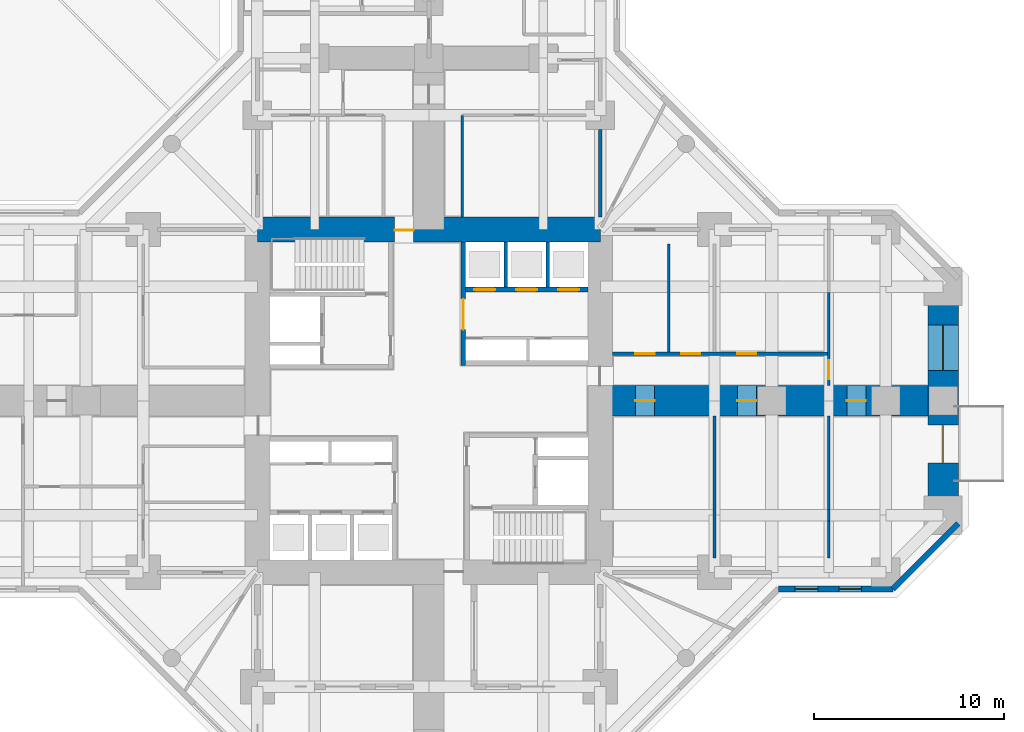
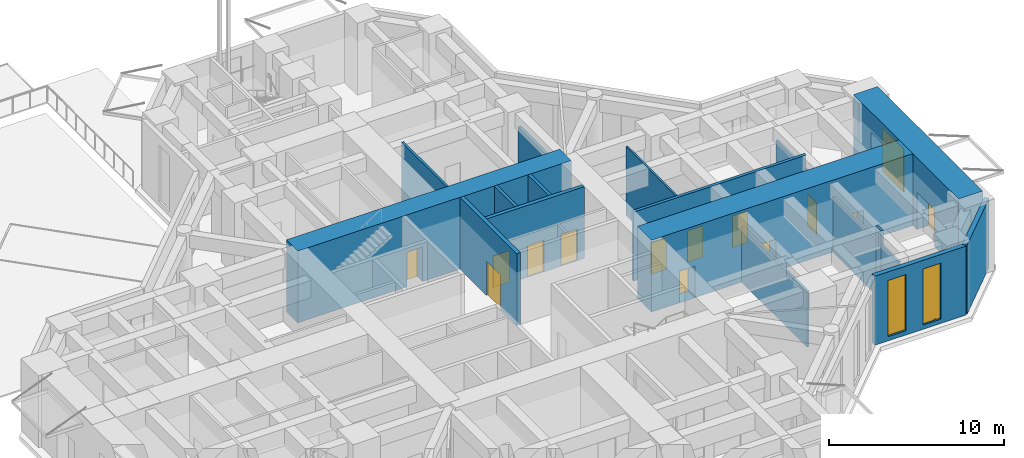
# One storey, part 9 of 14: 18 walls, 13 doors, 3 windows, 16 openings.
"""IFC4 building model written with IfcOpenShell, lengths in metres."""

from ifc_helpers import new_model, si_unit, direction, frame, frame_2d, origin, place, context, subcontext, project, spatial, rectangle, hollow_rectangle, extrude, material, layer, layer_set, constituent, constituent_set, type_object, element, fill, save


model = new_model("IFC4")

# Units and contexts
model_context = context("Model", 3, precision=1e-05, world=origin(), true_north=direction((0.0, 1.0)))
body_context = subcontext(model_context, "Body", "Model", "MODEL_VIEW")
ifc_project = project(units=[si_unit("LENGTHUNIT", "METRE"), si_unit("AREAUNIT", "SQUARE_METRE"), si_unit("VOLUMEUNIT", "CUBIC_METRE"), si_unit("PLANEANGLEUNIT", "RADIAN"), si_unit("MASSUNIT", "GRAM", prefix="KILO")], contexts=[model_context])

# Site, building, storey
site_placement = place(None, origin())
site = spatial("IfcSite", under=ifc_project, at=site_placement, CompositionType="ELEMENT")
building_placement = place(site_placement, origin())
building = spatial("IfcBuilding", under=site, at=building_placement, Name="Torre Cruceta", CompositionType="ELEMENT")
storey_placement = place(building_placement, origin())
storey = spatial("IfcBuildingStorey", under=building, at=storey_placement, Name="L00", CompositionType="ELEMENT", Elevation=0.0)

# Wall, opening, door
ifc_material_1 = material(Name="Concrete G60 (fck 60 MPa)", Category="concrete")
ifc_layer_1 = layer(ifc_material_1, 0.25)
ifc_layer_set_1 = layer_set([ifc_layer_1], Name="Concrete G60 (fck 60 MPa)")
wall_type_1 = type_object("IfcWallType", Name="CORE INNER WALL 250 G60", PredefinedType="SHEAR", material=ifc_layer_set_1)
wall_1_placement = place(storey_placement, frame((1.800048828125, 1.875, 0.0), z_axis=(0.0, 0.0, 1.0), x_axis=(0.0, 1.0, 0.0)))
wall_1 = element("IfcWall", 1, at=wall_1_placement, inside=storey, type_object=wall_type_1, Name="CW4 L00 NE-CU", PredefinedType="SHEAR", context=body_context, shape_type="SweptSolid", body=[
    extrude(rectangle(XDim=6.47509765625, YDim=0.25, at=frame_2d((3.237548828125, 0.0))), origin(), (0.0, 0.0, 1.0), 5.0),
])
opening_1_placement = place(wall_1_placement, frame((1.875, 0.0, 0.0)))
opening_1 = element("IfcOpeningElement", 2, at=opening_1_placement, cuts=wall_1, Name="Opening D8", PredefinedType="OPENING", context=body_context, shape_type="SweptSolid", body=[
    extrude(rectangle(XDim=1.60009765625, YDim=2.39990234375, at=frame_2d((0.800048828125, 1.199951171875))), frame((0.0, 0.135009765625, 0.0), z_axis=(0.0, -1.0, 0.0), x_axis=(1.0, 0.0, 0.0)), (0.0, 0.0, 1.0), 0.27001953125),
])
ifc_material_2 = material(Name="Steel DX51D", Category="steel")
ifc_constituent_1 = constituent(ifc_material_2, Name="Leaf and frame")
ifc_material_3 = material(Name="Polyester powder coating", Category="paint")
ifc_constituent_2 = constituent(ifc_material_3, Name="Finish")
ifc_material_4 = material(Name="Fire-resisting glass", Category="glass")
ifc_constituent_3 = constituent(ifc_material_4, Name="Vision panel")
ifc_constituent_set_1 = constituent_set(constituents=[ifc_constituent_1, ifc_constituent_2, ifc_constituent_3], Name="Steel fire door with vision panels")
door_type_1 = type_object("IfcDoorType", Name="LIFT LOBBY DOUBLE DOOR 1600X2400", OperationType="DOUBLE_DOOR_DOUBLE_SWING", PredefinedType="DOOR", material=ifc_constituent_set_1)
door_1_placement = place(opening_1_placement, origin())
door_1 = element("IfcDoor", 3, at=door_1_placement, inside=storey, type_object=door_type_1, Name="D8 L00 NE-LOBBY", OperationType="DOUBLE_DOOR_DOUBLE_SWING", OverallHeight=2.39990234375, OverallWidth=1.60009765625, PredefinedType="DOOR", context=body_context, shape_type="SweptSolid", body=[
    extrude(rectangle(XDim=1.60009765625, YDim=2.39990234375, at=frame_2d((0.800048828125, 1.199951171875))), frame((0.0, 0.02490234375, 0.0), z_axis=(0.0, -1.0, 0.0), x_axis=(1.0, 0.0, 0.0)), (0.0, 0.0, 1.0), 0.050048828125),
])
fill(opening_1, door_1)

# Wall, openings, doors
wall_2_placement = place(storey_placement, frame((1.925048828125, 5.85009765625, 0.0), z_axis=(0.0, 0.0, 1.0), x_axis=(1.0, 0.0, 0.0)))
wall_2 = element("IfcWall", 4, at=wall_2_placement, inside=storey, type_object=wall_type_1, Name="CW4 L00 NE-LV", PredefinedType="SHEAR", context=body_context, shape_type="SweptSolid", body=[
    extrude(rectangle(XDim=6.425048828125, YDim=0.25, at=frame_2d((3.21240234375, 0.0))), origin(), (0.0, 0.0, 1.0), 5.0),
])
opening_2_placement = place(wall_2_placement, frame((0.4541015625, 0.0, 0.0)))
opening_2 = element("IfcOpeningElement", 5, at=opening_2_placement, cuts=wall_2, Name="Opening LD1", PredefinedType="OPENING", context=body_context, shape_type="SweptSolid", body=[
    extrude(rectangle(XDim=1.10009765625, YDim=2.199951171875, at=frame_2d((0.550048828125, 1.10009765625))), frame((0.0, 0.135009765625, 0.0), z_axis=(0.0, -1.0, 0.0), x_axis=(1.0, 0.0, 0.0)), (0.0, 0.0, 1.0), 0.27001953125),
])
opening_3_placement = place(wall_2_placement, frame((2.66259765625, 0.0, 0.0)))
opening_3 = element("IfcOpeningElement", 6, at=opening_3_placement, cuts=wall_2, Name="Opening LD1", PredefinedType="OPENING", context=body_context, shape_type="SweptSolid", body=[
    extrude(rectangle(XDim=1.10009765625, YDim=2.199951171875, at=frame_2d((0.550048828125, 1.10009765625))), frame((0.0, 0.135009765625, 0.0), z_axis=(0.0, -1.0, 0.0), x_axis=(1.0, 0.0, 0.0)), (0.0, 0.0, 1.0), 0.27001953125),
])
opening_4_placement = place(wall_2_placement, frame((4.870849609375, 0.0, 0.0)))
opening_4 = element("IfcOpeningElement", 7, at=opening_4_placement, cuts=wall_2, Name="Opening LD1", PredefinedType="OPENING", context=body_context, shape_type="SweptSolid", body=[
    extrude(rectangle(XDim=1.10009765625, YDim=2.199951171875, at=frame_2d((0.550048828125, 1.10009765625))), frame((0.0, 0.135009765625, 0.0), z_axis=(0.0, -1.0, 0.0), x_axis=(1.0, 0.0, 0.0)), (0.0, 0.0, 1.0), 0.27001953125),
])
ifc_material_5 = material(Name="Stainless steel 1.4401", Category="steel")
door_type_2 = type_object("IfcDoorType", Name="LIFT LANDING DOOR 1100X2200", OperationType="DOUBLE_DOOR_SLIDING", PredefinedType="DOOR", material=ifc_material_5)
door_2_placement = place(opening_2_placement, origin())
door_2 = element("IfcDoor", 8, at=door_2_placement, inside=storey, type_object=door_type_2, Name="Lift landing door P1", OperationType="DOUBLE_DOOR_SLIDING", OverallHeight=2.199951171875, OverallWidth=1.10009765625, PredefinedType="DOOR", context=body_context, shape_type="SweptSolid", body=[
    extrude(rectangle(XDim=1.10009765625, YDim=2.199951171875, at=frame_2d((0.550048828125, 1.10009765625))), frame((0.0, 0.02490234375, 0.0), z_axis=(0.0, -1.0, 0.0), x_axis=(1.0, 0.0, 0.0)), (0.0, 0.0, 1.0), 0.050048828125),
])
fill(opening_2, door_2)
door_3_placement = place(opening_3_placement, origin())
door_3 = element("IfcDoor", 9, at=door_3_placement, inside=storey, type_object=door_type_2, Name="Lift landing door P2", OperationType="DOUBLE_DOOR_SLIDING", OverallHeight=2.199951171875, OverallWidth=1.10009765625, PredefinedType="DOOR", context=body_context, shape_type="SweptSolid", body=[
    extrude(rectangle(XDim=1.10009765625, YDim=2.199951171875, at=frame_2d((0.550048828125, 1.10009765625))), frame((0.0, 0.02490234375, 0.0), z_axis=(0.0, -1.0, 0.0), x_axis=(1.0, 0.0, 0.0)), (0.0, 0.0, 1.0), 0.050048828125),
])
fill(opening_3, door_3)
door_4_placement = place(opening_4_placement, origin())
door_4 = element("IfcDoor", 10, at=door_4_placement, inside=storey, type_object=door_type_2, Name="Lift landing door P3", OperationType="DOUBLE_DOOR_SLIDING", OverallHeight=2.199951171875, OverallWidth=1.10009765625, PredefinedType="DOOR", context=body_context, shape_type="SweptSolid", body=[
    extrude(rectangle(XDim=1.10009765625, YDim=2.199951171875, at=frame_2d((0.550048828125, 1.10009765625))), frame((0.0, 0.02490234375, 0.0), z_axis=(0.0, -1.0, 0.0), x_axis=(1.0, 0.0, 0.0)), (0.0, 0.0, 1.0), 0.050048828125),
])
fill(opening_4, door_4)

# Wall, opening, door
ifc_material_6 = material(Name="Concrete G60 (fck 60 MPa)", Category="concrete")
ifc_layer_2 = layer(ifc_material_6, 1.300048828125)
ifc_layer_set_2 = layer_set([ifc_layer_2], Name="Concrete G60 (fck 60 MPa)")
wall_type_2 = type_object("IfcWallType", Name="CORE WALL 1300 G60", PredefinedType="SHEAR", material=ifc_layer_set_2)
wall_3_placement = place(storey_placement, frame((9.0, 9.0, 0.0), z_axis=(0.0, 0.0, 1.0), x_axis=(-1.0, 0.0, 0.0)))
wall_3 = element("IfcWall", 11, at=wall_3_placement, inside=storey, type_object=wall_type_2, Name="CW1 L00 CW-N", PredefinedType="SHEAR", context=body_context, shape_type="SweptSolid", body=[
    extrude(rectangle(XDim=18.0, YDim=1.300048828125, at=frame_2d((9.0, 0.0))), origin(), (0.0, 0.0, 1.0), 5.0),
])
opening_5_placement = place(wall_3_placement, frame((9.800048828125, 0.0, 0.0)))
opening_5 = element("IfcOpeningElement", 12, at=opening_5_placement, cuts=wall_3, Name="Opening D4", PredefinedType="OPENING", context=body_context, shape_type="SweptSolid", body=[
    extrude(rectangle(XDim=1.0, YDim=2.39990234375, at=frame_2d((0.5, 1.199951171875))), frame((0.0, 0.659912109375, 0.0), z_axis=(0.0, -1.0, 0.0), x_axis=(1.0, 0.0, 0.0)), (0.0, 0.0, 1.0), 1.320068359375),
])
ifc_material_7 = material(Name="Steel DX51D", Category="steel")
ifc_constituent_4 = constituent(ifc_material_7, Name="Leaf and frame")
ifc_material_8 = material(Name="Polyester powder coating", Category="paint")
ifc_constituent_5 = constituent(ifc_material_8, Name="Finish")
ifc_constituent_set_2 = constituent_set(constituents=[ifc_constituent_4, ifc_constituent_5], Name="Steel fire door")
door_type_3 = type_object("IfcDoorType", Name="CORE ARM DOOR 1000X2400", OperationType="SINGLE_SWING_RIGHT", PredefinedType="DOOR", material=ifc_constituent_set_2)
door_5_placement = place(opening_5_placement, origin())
door_5 = element("IfcDoor", 13, at=door_5_placement, inside=storey, type_object=door_type_3, Name="D4 L00 CW-N", OperationType="SINGLE_SWING_RIGHT", OverallHeight=2.39990234375, OverallWidth=1.0, PredefinedType="DOOR", context=body_context, shape_type="SweptSolid", body=[
    extrude(rectangle(XDim=1.0, YDim=2.39990234375, at=frame_2d((0.5, 1.199951171875))), frame((0.0, 0.05517578125, 0.0), z_axis=(0.0, -1.0, 0.0), x_axis=(1.0, 0.0, 0.0)), (0.0, 0.0, 1.0), 0.050048828125),
])
fill(opening_5, door_5)

# Wall, openings, doors
ifc_material_9 = material(Name="Concrete G25 (fck 25 MPa)", Category="concrete")
ifc_layer_3 = layer(ifc_material_9, 0.199951171875)
ifc_layer_set_3 = layer_set([ifc_layer_3], Name="Concrete G25 (fck 25 MPa)")
wall_type_3 = type_object("IfcWallType", Name="CORRIDOR WALL 200", PredefinedType="SOLIDWALL", material=ifc_layer_set_3)
wall_4_placement = place(storey_placement, frame((9.64990234375, 2.47509765625, 0.0), z_axis=(0.0, 0.0, 1.0), x_axis=(1.0, 0.0, 0.0)))
wall_4 = element("IfcWall", 14, at=wall_4_placement, inside=storey, type_object=wall_type_3, Name="PT3 L00-E-CL", PredefinedType="SOLIDWALL", context=body_context, shape_type="SweptSolid", body=[
    extrude(rectangle(XDim=11.35009765625, YDim=0.199951171875, at=frame_2d((5.675048828125, 0.0))), origin(), (0.0, 0.0, 1.0), 4.800048828125),
])
opening_6_placement = place(wall_4_placement, frame((1.199951171875, 0.0, 0.0)))
opening_6 = element("IfcOpeningElement", 15, at=opening_6_placement, cuts=wall_4, Name="Opening D14", PredefinedType="OPENING", context=body_context, shape_type="SweptSolid", body=[
    extrude(rectangle(XDim=1.0, YDim=2.199951171875, at=frame_2d((0.5, 1.10009765625))), frame((0.0, 0.10986328125, 0.0), z_axis=(0.0, -1.0, 0.0), x_axis=(1.0, 0.0, 0.0)), (0.0, 0.0, 1.0), 0.219970703125),
])
opening_7_placement = place(wall_4_placement, frame((3.60009765625, 0.0, 0.0)))
opening_7 = element("IfcOpeningElement", 16, at=opening_7_placement, cuts=wall_4, Name="Opening D14", PredefinedType="OPENING", context=body_context, shape_type="SweptSolid", body=[
    extrude(rectangle(XDim=1.0, YDim=2.199951171875, at=frame_2d((0.5, 1.10009765625))), frame((0.0, 0.10986328125, 0.0), z_axis=(0.0, -1.0, 0.0), x_axis=(1.0, 0.0, 0.0)), (0.0, 0.0, 1.0), 0.219970703125),
])
opening_8_placement = place(wall_4_placement, frame((6.550048828125, 0.0, 0.0)))
opening_8 = element("IfcOpeningElement", 17, at=opening_8_placement, cuts=wall_4, Name="Opening D14", PredefinedType="OPENING", context=body_context, shape_type="SweptSolid", body=[
    extrude(rectangle(XDim=1.0, YDim=2.199951171875, at=frame_2d((0.5, 1.10009765625))), frame((0.0, 0.10986328125, 0.0), z_axis=(0.0, -1.0, 0.0), x_axis=(1.0, 0.0, 0.0)), (0.0, 0.0, 1.0), 0.219970703125),
])
ifc_material_10 = material(Name="Steel DX51D", Category="steel")
ifc_constituent_6 = constituent(ifc_material_10, Name="Leaf and frame")
ifc_material_11 = material(Name="Polyester powder coating", Category="paint")
ifc_constituent_7 = constituent(ifc_material_11, Name="Finish")
ifc_material_12 = material(Name="Fire-resisting glass", Category="glass")
ifc_constituent_8 = constituent(ifc_material_12, Name="Vision panel")
ifc_constituent_set_3 = constituent_set(constituents=[ifc_constituent_6, ifc_constituent_7, ifc_constituent_8], Name="Steel fire door with vision panel")
door_type_4 = type_object("IfcDoorType", Name="FIRE DOOR VISION PANEL 1000X2200", OperationType="SINGLE_SWING_RIGHT", PredefinedType="DOOR", material=ifc_constituent_set_3)
door_6_placement = place(opening_6_placement, origin())
door_6 = element("IfcDoor", 18, at=door_6_placement, inside=storey, type_object=door_type_4, Name="D14 L00-E-CL-D1", OperationType="SINGLE_SWING_RIGHT", OverallHeight=2.199951171875, OverallWidth=1.0, PredefinedType="DOOR", context=body_context, shape_type="SweptSolid", body=[
    extrude(rectangle(XDim=1.0, YDim=2.199951171875, at=frame_2d((0.5, 1.10009765625))), frame((0.0, 0.02490234375, 0.0), z_axis=(0.0, -1.0, 0.0), x_axis=(1.0, 0.0, 0.0)), (0.0, 0.0, 1.0), 0.050048828125),
])
fill(opening_6, door_6)
door_7_placement = place(opening_7_placement, origin())
door_7 = element("IfcDoor", 19, at=door_7_placement, inside=storey, type_object=door_type_4, Name="D14 L00-E-CL-D3", OperationType="SINGLE_SWING_LEFT", OverallHeight=2.199951171875, OverallWidth=1.0, PredefinedType="DOOR", context=body_context, shape_type="SweptSolid", body=[
    extrude(rectangle(XDim=1.0, YDim=2.199951171875, at=frame_2d((0.5, 1.10009765625))), frame((0.0, 0.02490234375, 0.0), z_axis=(0.0, -1.0, 0.0), x_axis=(1.0, 0.0, 0.0)), (0.0, 0.0, 1.0), 0.050048828125),
])
fill(opening_7, door_7)
door_8_placement = place(opening_8_placement, origin())
door_8 = element("IfcDoor", 20, at=door_8_placement, inside=storey, type_object=door_type_4, Name="D14 L00-E-CL-D2", OperationType="SINGLE_SWING_LEFT", OverallHeight=2.199951171875, OverallWidth=1.0, PredefinedType="DOOR", context=body_context, shape_type="SweptSolid", body=[
    extrude(rectangle(XDim=1.0, YDim=2.199951171875, at=frame_2d((0.5, 1.10009765625))), frame((0.0, 0.02490234375, 0.0), z_axis=(0.0, -1.0, 0.0), x_axis=(1.0, 0.0, 0.0)), (0.0, 0.0, 1.0), 0.050048828125),
])
fill(opening_8, door_8)

# Wall, openings, windows
ifc_material_13 = material(Name="Concrete G30 (fck 30 MPa)", Category="concrete")
ifc_layer_4 = layer(ifc_material_13, 0.300048828125)
ifc_layer_set_4 = layer_set([ifc_layer_4], Name="Concrete G30 (fck 30 MPa)")
wall_type_4 = type_object("IfcWallType", Name="EXPOSED CONCRETE FACADE WALL 300", PredefinedType="SOLIDWALL", material=ifc_layer_set_4)
wall_5_placement = place(storey_placement, frame((18.3603515625, -9.8701171875, 0.0), z_axis=(0.0, 0.0, 1.0), x_axis=(1.0, 0.0, 0.0)))
wall_5 = element("IfcWall", 21, at=wall_5_placement, inside=storey, type_object=wall_type_4, Name="EW1 facade wall L00 E side 00", PredefinedType="SOLIDWALL", context=body_context, shape_type="SweptSolid", body=[
    extrude(rectangle(XDim=6.0, YDim=0.300048828125, at=frame_2d((3.0, 0.0))), origin(), (0.0, 0.0, 1.0), 4.800048828125),
])
opening_9_placement = place(wall_5_placement, frame((0.869873046875, 0.0, 0.300048828125)))
opening_9 = element("IfcOpeningElement", 22, at=opening_9_placement, cuts=wall_5, Name="Opening SF3", PredefinedType="OPENING", context=body_context, shape_type="SweptSolid", body=[
    extrude(rectangle(XDim=1.199951171875, YDim=3.89990234375, at=frame_2d((0.60009765625, 1.949951171875))), frame((0.0, 0.159912109375, 0.0), z_axis=(0.0, -1.0, 0.0), x_axis=(1.0, 0.0, 0.0)), (0.0, 0.0, 1.0), 0.320068359375),
])
opening_10_placement = place(wall_5_placement, frame((3.16455078125, 0.0, 0.300048828125)))
opening_10 = element("IfcOpeningElement", 23, at=opening_10_placement, cuts=wall_5, Name="Opening SF3", PredefinedType="OPENING", context=body_context, shape_type="SweptSolid", body=[
    extrude(rectangle(XDim=1.199951171875, YDim=3.89990234375, at=frame_2d((0.60009765625, 1.949951171875))), frame((0.0, 0.159912109375, 0.0), z_axis=(0.0, -1.0, 0.0), x_axis=(1.0, 0.0, 0.0)), (0.0, 0.0, 1.0), 0.320068359375),
])
ifc_material_14 = material(Name="Aluminium window frame", Category="aluminium")
ifc_constituent_9 = constituent(ifc_material_14, Name="Frame")
ifc_material_15 = material(Name="Laminated insulating glass unit, low-iron clear", Category="glass")
ifc_constituent_10 = constituent(ifc_material_15, Name="Glazing")
ifc_constituent_set_4 = constituent_set(constituents=[ifc_constituent_9, ifc_constituent_10], Name="Aluminium window")
window_type_1 = type_object("IfcWindowType", Name="SHOPFRONT WINDOW 1200X3900", PartitioningType="SINGLE_PANEL", PredefinedType="WINDOW", material=ifc_constituent_set_4)
window_1_placement = place(opening_9_placement, origin())
window_1 = element("IfcWindow", 24, at=window_1_placement, inside=storey, type_object=window_type_1, Name="SF3 L00 E 1", OverallHeight=3.89990234375, OverallWidth=1.199951171875, PartitioningType="SINGLE_PANEL", PredefinedType="WINDOW", context=body_context, shape_type="SweptSolid", body=[
    extrude(hollow_rectangle(XDim=1.199951171875, YDim=3.89990234375, WallThickness=0.06005859375, at=frame_2d((0.60009765625, 1.949951171875))), frame((0.0, 0.030029296875, 0.0), z_axis=(0.0, -1.0, 0.0), x_axis=(1.0, 0.0, 0.0)), (0.0, 0.0, 1.0), 0.06005859375),
    extrude(rectangle(XDim=1.078857421875, YDim=3.77880859375, at=frame_2d((0.60009765625, 1.949951171875))), frame((0.0, 0.030029296875, 0.0), z_axis=(0.0, -1.0, 0.0), x_axis=(1.0, 0.0, 0.0)), (0.0, 0.0, 1.0), 0.06005859375),
])
fill(opening_9, window_1)
window_2_placement = place(opening_10_placement, origin())
window_2 = element("IfcWindow", 25, at=window_2_placement, inside=storey, type_object=window_type_1, Name="SF3 L00 E 2", OverallHeight=3.89990234375, OverallWidth=1.199951171875, PartitioningType="SINGLE_PANEL", PredefinedType="WINDOW", context=body_context, shape_type="SweptSolid", body=[
    extrude(hollow_rectangle(XDim=1.199951171875, YDim=3.89990234375, WallThickness=0.06005859375, at=frame_2d((0.60009765625, 1.949951171875))), frame((0.0, 0.030029296875, 0.0), z_axis=(0.0, -1.0, 0.0), x_axis=(1.0, 0.0, 0.0)), (0.0, 0.0, 1.0), 0.06005859375),
    extrude(rectangle(XDim=1.078857421875, YDim=3.77880859375, at=frame_2d((0.60009765625, 1.949951171875))), frame((0.0, 0.030029296875, 0.0), z_axis=(0.0, -1.0, 0.0), x_axis=(1.0, 0.0, 0.0)), (0.0, 0.0, 1.0), 0.06005859375),
])
fill(opening_10, window_2)

# Walls
wall_6_placement = place(storey_placement, frame((24.3603515625, -9.8701171875, 0.0), z_axis=(0.0, 0.0, 1.0), x_axis=(0.707106781187, 0.707106781187, 0.0)))
element("IfcWall", 26, at=wall_6_placement, inside=storey, type_object=wall_type_4, Name="EW1 facade wall L00 E chamfer 01", PredefinedType="SOLIDWALL", context=body_context, shape_type="SweptSolid", body=[
    extrude(rectangle(XDim=4.864501953125, YDim=0.300048828125, at=frame_2d((2.43212890625, 0.0))), origin(), (0.0, 0.0, 1.0), 4.800048828125),
])
ifc_material_16 = material(Name="Concrete G35 (fck 35 MPa)", Category="concrete")
ifc_layer_5 = layer(ifc_material_16, 0.199951171875)
ifc_layer_set_5 = layer_set([ifc_layer_5], Name="Concrete G35 (fck 35 MPa)")
wall_type_5 = type_object("IfcWallType", Name="LIFT SHAFT WALL 200", PredefinedType="PARTITIONING", material=ifc_layer_set_5)
for number, where, z_axis, x_axis, name in (
    (27, (4.033447265625, 5.97509765625, 0.0), (0.0, 0.0, 1.0), (0.0, 1.0, 0.0), "SW1 L00 NE-LS1"),
    (28, (6.24169921875, 5.97509765625, 0.0), (0.0, 0.0, 1.0), (0.0, 1.0, 0.0), "SW1 L00 NE-LS2"),
):
    element("IfcWall", number, at=place(storey_placement, frame(where, z_axis=z_axis, x_axis=x_axis)), inside=storey, type_object=wall_type_5, Name=name, PredefinedType="PARTITIONING", context=body_context, shape_type="SweptSolid", body=[
        extrude(rectangle(XDim=2.375, YDim=0.199951171875, at=frame_2d((1.1875, 0.0))), origin(), (0.0, 0.0, 1.0), 5.0),
    ])

# Wall, openings, door, window
ifc_material_17 = material(Name="Concrete G60 (fck 60 MPa)", Category="concrete")
ifc_layer_6 = layer(ifc_material_17, 1.60009765625)
ifc_layer_set_6 = layer_set([ifc_layer_6], Name="Concrete G60 (fck 60 MPa)")
wall_type_6 = type_object("IfcWallType", Name="NOSE WALL 1600 G60", PredefinedType="SHEAR", material=ifc_layer_set_6)
wall_7_placement = place(storey_placement, frame((27.0, -6.0, 0.0), z_axis=(0.0, 0.0, 1.0), x_axis=(0.0, 1.0, 0.0)))
wall_7 = element("IfcWall", 29, at=wall_7_placement, inside=storey, type_object=wall_type_6, Name="NW0 nose wall L00 E", PredefinedType="SHEAR", context=body_context, shape_type="SweptSolid", body=[
    extrude(rectangle(XDim=12.0, YDim=1.60009765625, at=frame_2d((6.0, 0.0))), origin(), (0.0, 0.0, 1.0), 5.0),
])
opening_11_placement = place(wall_7_placement, frame((2.75, 0.0, 0.0)))
opening_11 = element("IfcOpeningElement", 30, at=opening_11_placement, cuts=wall_7, Name="Opening D9", PredefinedType="OPENING", context=body_context, shape_type="SweptSolid", body=[
    extrude(rectangle(XDim=2.0, YDim=2.60009765625, at=frame_2d((1.0, 1.300048828125))), frame((0.0, 0.81005859375, 0.0), z_axis=(0.0, -1.0, 0.0), x_axis=(1.0, 0.0, 0.0)), (0.0, 0.0, 1.0), 1.6201171875),
])
opening_12_placement = place(wall_7_placement, frame((7.60009765625, 0.0, 0.60009765625)))
opening_12 = element("IfcOpeningElement", 31, at=opening_12_placement, cuts=wall_7, Name="Opening WN2", PredefinedType="OPENING", context=body_context, shape_type="SweptSolid", body=[
    extrude(rectangle(XDim=2.39990234375, YDim=3.0, at=frame_2d((1.199951171875, 1.5))), frame((0.0, 0.81005859375, 0.0), z_axis=(0.0, -1.0, 0.0), x_axis=(1.0, 0.0, 0.0)), (0.0, 0.0, 1.0), 1.6201171875),
])
ifc_material_18 = material(Name="Aluminium door frame", Category="aluminium")
ifc_constituent_11 = constituent(ifc_material_18, Name="Frame")
ifc_material_19 = material(Name="Laminated safety glass", Category="glass")
ifc_constituent_12 = constituent(ifc_material_19, Name="Glazing")
ifc_constituent_set_5 = constituent_set(constituents=[ifc_constituent_11, ifc_constituent_12], Name="Aluminium glazed door")
door_type_5 = type_object("IfcDoorType", Name="ENTRANCE DOUBLE DOOR 2000X2600", OperationType="DOUBLE_DOOR_DOUBLE_SWING", PredefinedType="DOOR", material=ifc_constituent_set_5)
door_9_placement = place(opening_11_placement, origin())
door_9 = element("IfcDoor", 32, at=door_9_placement, inside=storey, type_object=door_type_5, Name="D9 entrance double door L00 E", OperationType="DOUBLE_DOOR_DOUBLE_SWING", OverallHeight=2.60009765625, OverallWidth=2.0, PredefinedType="DOOR", context=body_context, shape_type="SweptSolid", body=[
    extrude(hollow_rectangle(XDim=2.0, YDim=2.60009765625, WallThickness=0.06005859375, at=frame_2d((1.0, 1.300048828125))), frame((0.0, 0.02490234375, 0.0), z_axis=(0.0, -1.0, 0.0), x_axis=(1.0, 0.0, 0.0)), (0.0, 0.0, 1.0), 0.050048828125),
    extrude(rectangle(XDim=1.87890625, YDim=2.47900390625, at=frame_2d((1.0, 1.300048828125))), frame((0.0, 0.02490234375, 0.0), z_axis=(0.0, -1.0, 0.0), x_axis=(1.0, 0.0, 0.0)), (0.0, 0.0, 1.0), 0.050048828125),
])
fill(opening_11, door_9)
ifc_material_20 = material(Name="Aluminium window frame", Category="aluminium")
ifc_constituent_13 = constituent(ifc_material_20, Name="Frame")
ifc_material_21 = material(Name="Laminated insulating glass unit, low-iron clear", Category="glass")
ifc_constituent_14 = constituent(ifc_material_21, Name="Glazing")
ifc_constituent_set_6 = constituent_set(constituents=[ifc_constituent_13, ifc_constituent_14], Name="Aluminium window")
window_type_2 = type_object("IfcWindowType", Name="GROUND FLOOR WINDOW 2400X3000", PartitioningType="SINGLE_PANEL", PredefinedType="WINDOW", material=ifc_constituent_set_6)
window_3_placement = place(opening_12_placement, origin())
window_3 = element("IfcWindow", 33, at=window_3_placement, inside=storey, type_object=window_type_2, Name="WN2 L00 E 2", OverallHeight=3.0, OverallWidth=2.39990234375, PartitioningType="SINGLE_PANEL", PredefinedType="WINDOW", context=body_context, shape_type="SweptSolid", body=[
    extrude(hollow_rectangle(XDim=2.39990234375, YDim=3.0, WallThickness=0.06005859375, at=frame_2d((1.199951171875, 1.5))), frame((0.0, 0.030029296875, 0.0), z_axis=(0.0, -1.0, 0.0), x_axis=(1.0, 0.0, 0.0)), (0.0, 0.0, 1.0), 0.06005859375),
    extrude(rectangle(XDim=2.27880859375, YDim=2.87890625, at=frame_2d((1.199951171875, 1.5))), frame((0.0, 0.030029296875, 0.0), z_axis=(0.0, -1.0, 0.0), x_axis=(1.0, 0.0, 0.0)), (0.0, 0.0, 1.0), 0.06005859375),
])
fill(opening_12, window_3)

# Walls
ifc_material_22 = material(Name="Plasterboard on steel studs", Category="steel")
ifc_layer_7 = layer(ifc_material_22, 0.14990234375)
ifc_layer_set_7 = layer_set([ifc_layer_7], Name="Plasterboard on steel studs")
wall_type_7 = type_object("IfcWallType", Name="PARTITION 150", PredefinedType="PARTITIONING", material=ifc_layer_set_7)
wall_8_placement = place(storey_placement, frame((1.75, 9.64990234375, 0.0), z_axis=(0.0, 0.0, 1.0), x_axis=(0.0, 1.0, 0.0)))
element("IfcWall", 34, at=wall_8_placement, inside=storey, type_object=wall_type_7, Name="PT1 L00-N-BSR", PredefinedType="PARTITIONING", context=body_context, shape_type="SweptSolid", body=[
    extrude(rectangle(XDim=5.35009765625, YDim=0.14990234375, at=frame_2d((2.675048828125, 0.0))), origin(), (0.0, 0.0, 1.0), 4.800048828125),
])
wall_9_placement = place(storey_placement, frame((15.0, -8.25, 0.0), z_axis=(0.0, 0.0, 1.0), x_axis=(0.0, 1.0, 0.0)))
element("IfcWall", 35, at=wall_9_placement, inside=storey, type_object=wall_type_7, Name="PT1 L00-E-P1R", PredefinedType="PARTITIONING", context=body_context, shape_type="SweptSolid", body=[
    extrude(rectangle(XDim=7.449951171875, YDim=0.14990234375, at=frame_2d((3.72509765625, 0.0))), origin(), (0.0, 0.0, 1.0), 3.85009765625),
])
wall_10_placement = place(storey_placement, frame((21.0, -8.25, 0.0), z_axis=(0.0, 0.0, 1.0), x_axis=(0.0, 1.0, 0.0)))
element("IfcWall", 36, at=wall_10_placement, inside=storey, type_object=wall_type_7, Name="PT1 L00-E-ENDa", PredefinedType="PARTITIONING", context=body_context, shape_type="SweptSolid", body=[
    extrude(rectangle(XDim=1.949951171875, YDim=0.14990234375, at=frame_2d((0.97509765625, 0.0))), origin(), (0.0, 0.0, 1.0), 3.85009765625),
])
wall_11_placement = place(storey_placement, frame((21.0, -6.300048828125, 0.0), z_axis=(0.0, 0.0, 1.0), x_axis=(0.0, 1.0, 0.0)))
element("IfcWall", 37, at=wall_11_placement, inside=storey, type_object=wall_type_7, Name="PT1 L00-E-ENDa 2", PredefinedType="PARTITIONING", context=body_context, shape_type="SweptSolid", body=[
    extrude(rectangle(XDim=0.60009765625, YDim=0.14990234375, at=frame_2d((0.300048828125, 0.0))), origin(), (0.0, 0.0, 1.0), 4.800048828125),
])
wall_12_placement = place(storey_placement, frame((21.0, -5.699951171875, 0.0), z_axis=(0.0, 0.0, 1.0), x_axis=(0.0, 1.0, 0.0)))
element("IfcWall", 38, at=wall_12_placement, inside=storey, type_object=wall_type_7, Name="PT1 L00-E-ENDa 3", PredefinedType="PARTITIONING", context=body_context, shape_type="SweptSolid", body=[
    extrude(rectangle(XDim=4.89990234375, YDim=0.14990234375, at=frame_2d((2.449951171875, 0.0))), origin(), (0.0, 0.0, 1.0), 3.85009765625),
])

# Wall, opening, door
wall_13_placement = place(storey_placement, frame((21.0, 0.800048828125, 0.0), z_axis=(0.0, 0.0, 1.0), x_axis=(0.0, 1.0, 0.0)))
wall_13 = element("IfcWall", 39, at=wall_13_placement, inside=storey, type_object=wall_type_7, Name="PT1 L00-E-ENDb", PredefinedType="PARTITIONING", context=body_context, shape_type="SweptSolid", body=[
    extrude(rectangle(XDim=4.89990234375, YDim=0.14990234375, at=frame_2d((2.449951171875, 0.0))), origin(), (0.0, 0.0, 1.0), 3.85009765625),
])
opening_13_placement = place(wall_13_placement, frame((0.35009765625, 0.0, 0.0)))
opening_13 = element("IfcOpeningElement", 40, at=opening_13_placement, cuts=wall_13, Name="Opening D14", PredefinedType="OPENING", context=body_context, shape_type="SweptSolid", body=[
    extrude(rectangle(XDim=1.0, YDim=2.199951171875, at=frame_2d((0.5, 1.10009765625))), frame((0.0, 0.0849609375, 0.0), z_axis=(0.0, -1.0, 0.0), x_axis=(1.0, 0.0, 0.0)), (0.0, 0.0, 1.0), 0.169921875),
])
door_10_placement = place(opening_13_placement, frame((1.0, 0.0, 0.0), z_axis=(0.0, 0.0, 1.0), x_axis=(-1.0, 0.0, 0.0)))
door_10 = element("IfcDoor", 41, at=door_10_placement, inside=storey, type_object=door_type_4, Name="D14 L00-E-ENDb-D1", OperationType="SINGLE_SWING_LEFT", OverallHeight=2.199951171875, OverallWidth=1.0, PredefinedType="DOOR", context=body_context, shape_type="SweptSolid", body=[
    extrude(rectangle(XDim=1.0, YDim=2.199951171875, at=frame_2d((0.5, 1.10009765625))), frame((0.0, 0.025146484375, 0.0), z_axis=(0.0, -1.0, 0.0), x_axis=(1.0, 0.0, 0.0)), (0.0, 0.0, 1.0), 0.050048828125),
])
fill(opening_13, door_10)

# Wall, openings, doors
ifc_material_23 = material(Name="Concrete G60 (fck 60 MPa)", Category="concrete")
ifc_layer_8 = layer(ifc_material_23, 1.60009765625)
ifc_layer_set_8 = layer_set([ifc_layer_8], Name="Concrete G60 (fck 60 MPa)")
wall_type_8 = type_object("IfcWallType", Name="SPINE WALL 1600 G60", PredefinedType="SHEAR", material=ifc_layer_set_8)
wall_14_placement = place(storey_placement, frame((9.0, 0.0, 0.0), z_axis=(0.0, 0.0, 1.0), x_axis=(1.0, 0.0, 0.0)))
wall_14 = element("IfcWall", 42, at=wall_14_placement, inside=storey, type_object=wall_type_8, Name="SW2 spine wall L00 E", PredefinedType="SHEAR", context=body_context, shape_type="SweptSolid", body=[
    extrude(rectangle(XDim=18.0, YDim=1.60009765625, at=frame_2d((9.0, 0.0))), origin(), (0.0, 0.0, 1.0), 5.0),
])
opening_14_placement = place(wall_14_placement, frame((1.85009765625, 0.0, 0.0)))
opening_14 = element("IfcOpeningElement", 43, at=opening_14_placement, cuts=wall_14, Name="Opening D14", PredefinedType="OPENING", context=body_context, shape_type="SweptSolid", body=[
    extrude(rectangle(XDim=1.0, YDim=2.199951171875, at=frame_2d((0.5, 1.10009765625))), frame((0.0, 0.81005859375, 0.0), z_axis=(0.0, -1.0, 0.0), x_axis=(1.0, 0.0, 0.0)), (0.0, 0.0, 1.0), 1.6201171875),
])
opening_15_placement = place(wall_14_placement, frame((7.199951171875, 0.0, 0.0)))
opening_15 = element("IfcOpeningElement", 44, at=opening_15_placement, cuts=wall_14, Name="Opening D14", PredefinedType="OPENING", context=body_context, shape_type="SweptSolid", body=[
    extrude(rectangle(XDim=1.0, YDim=2.199951171875, at=frame_2d((0.5, 1.10009765625))), frame((0.0, 0.81005859375, 0.0), z_axis=(0.0, -1.0, 0.0), x_axis=(1.0, 0.0, 0.0)), (0.0, 0.0, 1.0), 1.6201171875),
])
opening_16_placement = place(wall_14_placement, frame((12.949951171875, 0.0, 0.0)))
opening_16 = element("IfcOpeningElement", 45, at=opening_16_placement, cuts=wall_14, Name="Opening D14", PredefinedType="OPENING", context=body_context, shape_type="SweptSolid", body=[
    extrude(rectangle(XDim=1.0, YDim=2.199951171875, at=frame_2d((0.5, 1.10009765625))), frame((0.0, 0.81005859375, 0.0), z_axis=(0.0, -1.0, 0.0), x_axis=(1.0, 0.0, 0.0)), (0.0, 0.0, 1.0), 1.6201171875),
])
door_11_placement = place(opening_14_placement, frame((1.0, 0.0, 0.0), z_axis=(0.0, 0.0, 1.0), x_axis=(-1.0, 0.0, 0.0)))
door_11 = element("IfcDoor", 46, at=door_11_placement, inside=storey, type_object=door_type_4, Name="D14 L00-E-SP1", OperationType="SINGLE_SWING_RIGHT", OverallHeight=2.199951171875, OverallWidth=1.0, PredefinedType="DOOR", context=body_context, shape_type="SweptSolid", body=[
    extrude(rectangle(XDim=1.0, YDim=2.199951171875, at=frame_2d((0.5, 1.10009765625))), frame((0.0, 0.025146484375, 0.0), z_axis=(0.0, -1.0, 0.0), x_axis=(1.0, 0.0, 0.0)), (0.0, 0.0, 1.0), 0.050048828125),
])
fill(opening_14, door_11)
door_12_placement = place(opening_15_placement, frame((1.0, 0.0, 0.0), z_axis=(0.0, 0.0, 1.0), x_axis=(-1.0, 0.0, 0.0)))
door_12 = element("IfcDoor", 47, at=door_12_placement, inside=storey, type_object=door_type_4, Name="D14 L00-E-SP2", OperationType="SINGLE_SWING_RIGHT", OverallHeight=2.199951171875, OverallWidth=1.0, PredefinedType="DOOR", context=body_context, shape_type="SweptSolid", body=[
    extrude(rectangle(XDim=1.0, YDim=2.199951171875, at=frame_2d((0.5, 1.10009765625))), frame((0.0, 0.025146484375, 0.0), z_axis=(0.0, -1.0, 0.0), x_axis=(1.0, 0.0, 0.0)), (0.0, 0.0, 1.0), 0.050048828125),
])
fill(opening_15, door_12)
door_13_placement = place(opening_16_placement, origin())
door_13 = element("IfcDoor", 48, at=door_13_placement, inside=storey, type_object=door_type_4, Name="D14 L00-E-SP3", OperationType="SINGLE_SWING_LEFT", OverallHeight=2.199951171875, OverallWidth=1.0, PredefinedType="DOOR", context=body_context, shape_type="SweptSolid", body=[
    extrude(rectangle(XDim=1.0, YDim=2.199951171875, at=frame_2d((0.5, 1.10009765625))), frame((0.0, 0.02490234375, 0.0), z_axis=(0.0, -1.0, 0.0), x_axis=(1.0, 0.0, 0.0)), (0.0, 0.0, 1.0), 0.050048828125),
])
fill(opening_16, door_13)

# Walls
ifc_material_24 = material(Name="Plasterboard on steel studs", Category="steel")
ifc_layer_9 = layer(ifc_material_24, 0.1201171875)
ifc_layer_set_9 = layer_set([ifc_layer_9], Name="Plasterboard on steel studs")
wall_type_9 = type_object("IfcWallType", Name="WC PARTITION 120", PredefinedType="PLUMBINGWALL", material=ifc_layer_set_9)
wall_15_placement = place(storey_placement, frame((12.60009765625, 2.574951171875, 0.0), z_axis=(0.0, 0.0, 1.0), x_axis=(0.0, 1.0, 0.0)))
element("IfcWall", 49, at=wall_15_placement, inside=storey, type_object=wall_type_9, Name="PT5 L00-E-U1LX", PredefinedType="PLUMBINGWALL", context=body_context, shape_type="SweptSolid", body=[
    extrude(rectangle(XDim=5.675048828125, YDim=0.1201171875, at=frame_2d((2.83740234375, 0.0))), origin(), (0.0, 0.0, 1.0), 4.800048828125),
])
ifc_material_25 = material(Name="Concrete G25 (fck 25 MPa)", Category="concrete")
ifc_layer_10 = layer(ifc_material_25, 0.199951171875)
ifc_layer_set_10 = layer_set([ifc_layer_10], Name="Concrete G25 (fck 25 MPa)")
wall_type_10 = type_object("IfcWallType", Name="WING SEPARATING WALL 200", PredefinedType="SOLIDWALL", material=ifc_layer_set_10)
wall_16_placement = place(storey_placement, frame((9.0, 14.25, 0.0), z_axis=(0.0, 0.0, 1.0), x_axis=(0.0, -1.0, 0.0)))
element("IfcWall", 50, at=wall_16_placement, inside=storey, type_object=wall_type_10, Name="PT6 L00-WING-E-B1", PredefinedType="SOLIDWALL", context=body_context, shape_type="SweptSolid", body=[
    extrude(rectangle(XDim=4.60009765625, YDim=0.199951171875, at=frame_2d((2.300048828125, 0.0))), origin(), (0.0, 0.0, 1.0), 3.800048828125),
])

save(model, "model.ifc")
